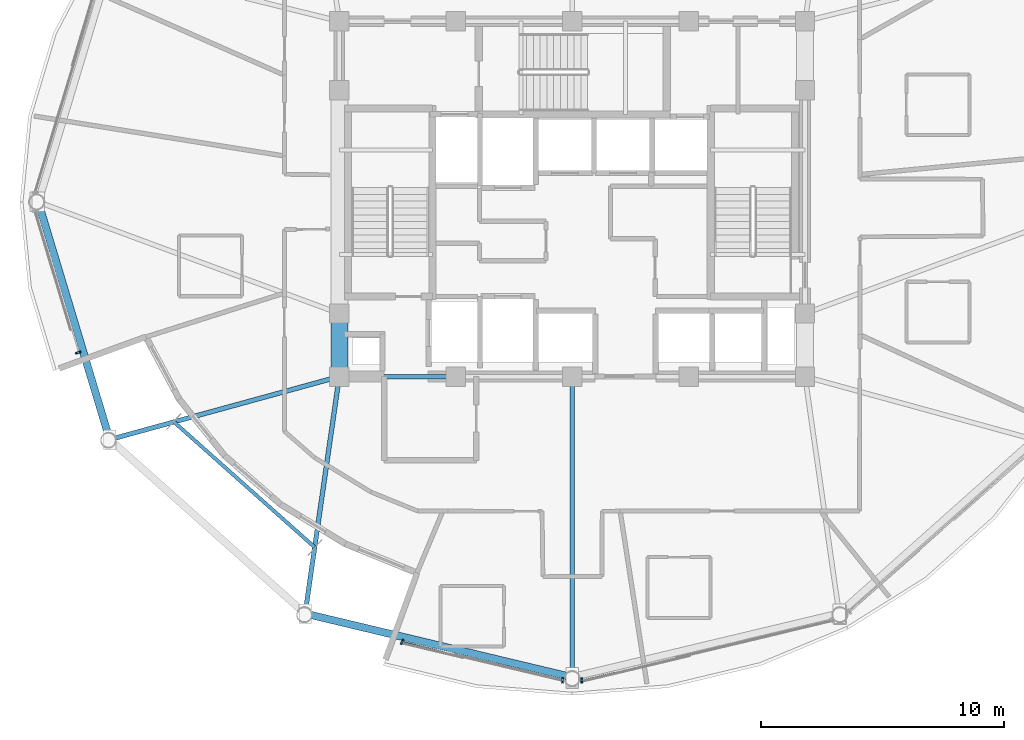
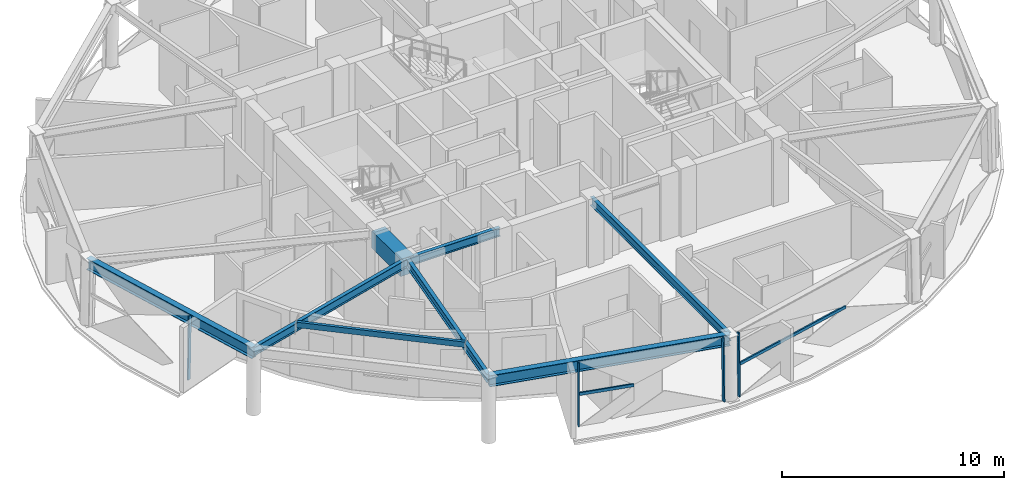
# One storey, part 2 of 18: 8 beams, 6 members, 3 elements without a shape of their own.
"""IFC4 building model written with IfcOpenShell, lengths in metres."""

from ifc_helpers import new_model, si_unit, direction, frame, origin, origin_2d, place, context, subcontext, project, spatial, rectangle, hollow_rectangle, i_section, extrude, material, layer, layer_set, material_profile, profile_set, type_object, element, aggregate, save


model = new_model("IFC4")

# Units and contexts
model_context = context("Model", 3, precision=1e-05, world=origin(), true_north=direction((0.0, 1.0)))
body_context = subcontext(model_context, "Body", "Model", "MODEL_VIEW")
ifc_project = project(units=[si_unit("LENGTHUNIT", "METRE"), si_unit("AREAUNIT", "SQUARE_METRE"), si_unit("VOLUMEUNIT", "CUBIC_METRE"), si_unit("PLANEANGLEUNIT", "RADIAN"), si_unit("MASSUNIT", "GRAM", prefix="KILO")], contexts=[model_context])

# Site, building, storey
site_placement = place(None, origin())
site = spatial("IfcSite", under=ifc_project, at=site_placement, CompositionType="ELEMENT")
building_placement = place(site_placement, origin())
building = spatial("IfcBuilding", under=site, at=building_placement, Name="Vantalir Tower", CompositionType="ELEMENT")
storey_placement = place(building_placement, frame((0.0, 0.0, 216.14990234375)))
storey = spatial("IfcBuildingStorey", under=building, at=storey_placement, Name="L54", CompositionType="ELEMENT", Elevation=216.14990234375)

# Beams
ifc_material_1 = material(Name="Concrete C60/75", Category="concrete")
ifc_material_profile_1 = material_profile(ifc_material_1, rectangle(XDim=0.699951171875, YDim=0.949951171875, at=origin_2d()), Name="Concrete C60/75")
ifc_profile_set_1 = profile_set([ifc_material_profile_1], Name="Concrete C60/75")
beam_type_1 = type_object("IfcBeamType", Name="BM-CB-700x950", PredefinedType="USERDEFINED", material=ifc_profile_set_1)
beam_1_placement = place(storey_placement, frame((21.89990234375, 20.39990234375, 3.09521484375), z_axis=(0.0, -1.0, 0.0), x_axis=(1.0, 0.0, 0.0)))
element("IfcBeam", 1, at=beam_1_placement, inside=storey, type_object=beam_type_1, Name="L54 Core Coupling Girder 14", ObjectType="GIRDER", PredefinedType="USERDEFINED", context=body_context, shape_type="SweptSolid", body=[
    extrude(rectangle(XDim=0.699951171875, YDim=0.949951171875, at=origin_2d()), origin(), (0.0, 0.0, 1.0), 2.599853515625),
])
ifc_material_2 = material(Name="Steel S355", Category="steel")
ifc_material_profile_2 = material_profile(ifc_material_2, i_section(OverallWidth=0.19189453125, OverallDepth=0.462890625, WebThickness=0.010498046875, FlangeThickness=0.017578125, at=origin_2d()), Name="Steel S355")
ifc_profile_set_2 = profile_set([ifc_material_profile_2], Name="Steel S355")
beam_type_2 = type_object("IfcBeamType", Name="BM-RB-457x191", PredefinedType="BEAM", material=ifc_profile_set_2)
beam_2_placement = place(storey_placement, frame((21.89990234375, 17.800048828125, 3.338134765625), z_axis=(1.0, 0.0, 0.0), x_axis=(0.0, 1.0, 0.0)))
element("IfcBeam", 2, at=beam_2_placement, inside=storey, type_object=beam_type_2, Name="L54 Core Coupling Girder 01", PredefinedType="BEAM", context=body_context, shape_type="SweptSolid", body=[
    extrude(i_section(OverallWidth=0.19189453125, OverallDepth=0.462890625, WebThickness=0.010498046875, FlangeThickness=0.017578125, at=origin_2d()), origin(), (0.0, 0.0, 1.0), 4.800048828125),
])
beam_3_placement = place(storey_placement, frame((12.43603515625, 15.201904296875, 3.338134765625), z_axis=(0.964320419913, 0.264737847196, 0.0), x_axis=(-0.264737847196, 0.964320419913, 0.0)))
element("IfcBeam", 3, at=beam_3_placement, inside=storey, type_object=beam_type_2, Name="L54 Radial Floor Beam 08", PredefinedType="BEAM", context=body_context, shape_type="SweptSolid", body=[
    extrude(i_section(OverallWidth=0.19189453125, OverallDepth=0.462890625, WebThickness=0.010498046875, FlangeThickness=0.017578125, at=origin_2d()), origin(), (0.0, 0.0, 1.0), 9.81396484375),
])
beam_4_placement = place(storey_placement, frame((20.492919921875, 8.029052734375, 3.338134765625), z_axis=(0.142525762499, 0.989791092617, 0.0), x_axis=(-0.989791092617, 0.142525762499, 0.0)))
element("IfcBeam", 4, at=beam_4_placement, inside=storey, type_object=beam_type_2, Name="L54 Radial Floor Beam 09", PredefinedType="BEAM", context=body_context, shape_type="SweptSolid", body=[
    extrude(i_section(OverallWidth=0.19189453125, OverallDepth=0.462890625, WebThickness=0.010498046875, FlangeThickness=0.017578125, at=origin_2d()), origin(), (0.0, 0.0, 1.0), 9.871826171875),
])
beam_5_placement = place(storey_placement, frame((31.5, 5.404052734375, 3.338134765625), z_axis=(0.0, 1.0, 0.0), x_axis=(-1.0, 0.0, 0.0)))
element("IfcBeam", 5, at=beam_5_placement, inside=storey, type_object=beam_type_2, Name="L54 Radial Floor Beam 10", PredefinedType="BEAM", context=body_context, shape_type="SweptSolid", body=[
    extrude(i_section(OverallWidth=0.19189453125, OverallDepth=0.462890625, WebThickness=0.010498046875, FlangeThickness=0.017578125, at=origin_2d()), origin(), (0.0, 0.0, 1.0), 12.39599609375),
])
ifc_material_3 = material(Name="Steel S460", Category="steel")
ifc_material_profile_3 = material_profile(ifc_material_3, i_section(OverallWidth=0.306884765625, OverallDepth=0.6201171875, WebThickness=0.01416015625, FlangeThickness=0.023681640625, at=origin_2d()), Name="Steel S460")
ifc_profile_set_3 = profile_set([ifc_material_profile_3], Name="Steel S460")
beam_type_3 = type_object("IfcBeamType", Name="BM-RG-610x305", PredefinedType="USERDEFINED", material=ifc_profile_set_3)
beam_6_placement = place(storey_placement, frame((9.487060546875, 25.0, 3.260009765625), z_axis=(0.288203662464, -0.957569135333, 0.0), x_axis=(0.957569135333, 0.288203662464, 0.0)))
element("IfcBeam", 6, at=beam_6_placement, inside=storey, type_object=beam_type_3, Name="L54 Circumferential Ring Girder 07", ObjectType="GIRDER", PredefinedType="USERDEFINED", context=body_context, shape_type="SweptSolid", body=[
    extrude(i_section(OverallWidth=0.306884765625, OverallDepth=0.6201171875, WebThickness=0.01416015625, FlangeThickness=0.023681640625, at=origin_2d()), origin(), (0.0, 0.0, 1.0), 10.232177734375),
])
beam_7_placement = place(storey_placement, frame((20.492919921875, 8.029052734375, 3.260009765625), z_axis=(0.972721190818, -0.231977337112, 0.0), x_axis=(0.231977337112, 0.972721190818, 0.0)))
element("IfcBeam", 7, at=beam_7_placement, inside=storey, type_object=beam_type_3, Name="L54 Circumferential Ring Girder 09", ObjectType="GIRDER", PredefinedType="USERDEFINED", context=body_context, shape_type="SweptSolid", body=[
    extrude(i_section(OverallWidth=0.306884765625, OverallDepth=0.6201171875, WebThickness=0.01416015625, FlangeThickness=0.023681640625, at=origin_2d()), origin(), (0.0, 0.0, 1.0), 11.315673828125),
])
ifc_material_profile_4 = material_profile(ifc_material_2, hollow_rectangle(XDim=0.14990234375, YDim=0.300048828125, WallThickness=0.011962890625, at=origin_2d()), Name="Steel S355")
ifc_profile_set_4 = profile_set([ifc_material_profile_4], Name="Steel S355")
beam_type_4 = type_object("IfcBeamType", Name="BM-SP-300x150", PredefinedType="LINTEL", material=ifc_profile_set_4)
beam_8_placement = place(storey_placement, frame((15.0859375, 15.928955078125, 3.420166015625), z_axis=(0.746923504763, -0.66490997739, 0.0), x_axis=(0.66490997739, 0.746923504763, 0.0)))
element("IfcBeam", 8, at=beam_8_placement, inside=storey, type_object=beam_type_4, Name="L54 SG3 Recessed Edge Lintel 1", PredefinedType="LINTEL", context=body_context, shape_type="SweptSolid", body=[
    extrude(hollow_rectangle(XDim=0.14990234375, YDim=0.300048828125, WallThickness=0.011962890625, at=origin_2d()), origin(), (0.0, 0.0, 1.0), 7.7666015625),
])

# Curtain wall, member
ifc_material_4 = material(Name="Champagne-silver PVDF aluminium and double-silver Low-E glass", Category="aluminium")
ifc_layer = layer(ifc_material_4, 0.2099609375)
ifc_layer_set = layer_set([ifc_layer], Name="Champagne-silver PVDF aluminium and double-silver Low-E glass")
curtain_wall_type = type_object("IfcCurtainWallType", Name="CW-DIAMOND-Z3", PredefinedType="USERDEFINED", material=ifc_layer_set)
curtain_wall_1_placement = place(storey_placement, origin())
curtain_wall_1 = element("IfcCurtainWall", 9, at=curtain_wall_1_placement, inside=storey, type_object=curtain_wall_type, Name="L54 Quilted Pyramid-Diamond Curtain Wall S07", ObjectType="UNITISED CURTAIN WALL", PredefinedType="USERDEFINED")
ifc_material_5 = material(Name="Champagne-silver PVDF aluminium 6063-T6", Category="aluminium")
ifc_material_profile_5 = material_profile(ifc_material_5, hollow_rectangle(XDim=0.070068359375, YDim=0.1650390625, WallThickness=0.00390625, at=origin_2d()), Name="Champagne-silver PVDF aluminium 6063-T6")
ifc_profile_set_5 = profile_set([ifc_material_profile_5], Name="Champagne-silver PVDF aluminium 6063-T6")
member_type_1 = type_object("IfcMemberType", Name="CWM-165x70", PredefinedType="MULLION", material=ifc_profile_set_5)
member_1_placement = place(storey_placement, frame((11.094970703125, 18.77490234375, 0.045166015625), z_axis=(0.019288847627, 0.006382855033, 0.999793578454), x_axis=(-0.314155656274, 0.949371488739, 0.0)))
member_1 = element("IfcMember", 10, at=member_1_placement, type_object=member_type_1, Name="CW-L54-S07 Mullion 2", PredefinedType="MULLION", context=body_context, shape_type="SweptSolid", body=[
    extrude(hollow_rectangle(XDim=0.070068359375, YDim=0.1650390625, WallThickness=0.00390625, at=origin_2d()), origin(), (0.0, 0.0, 1.0), 3.480712890625),
])
aggregate(curtain_wall_1, [member_1])

# Curtain wall, members
curtain_wall_2_placement = place(storey_placement, origin())
curtain_wall_2 = element("IfcCurtainWall", 11, at=curtain_wall_2_placement, inside=storey, type_object=curtain_wall_type, Name="L54 Quilted Pyramid-Diamond Curtain Wall S09", ObjectType="UNITISED CURTAIN WALL", PredefinedType="USERDEFINED")
member_2_placement = place(storey_placement, frame((24.472900390625, 6.826904296875, 0.045166015625), z_axis=(0.006944250625, 0.01697483486, 0.999831802037), x_axis=(-0.925546956206, 0.378632845721, 0.0)))
member_2 = element("IfcMember", 12, at=member_2_placement, type_object=member_type_1, Name="CW-L54-S09 Mullion 1", PredefinedType="MULLION", context=body_context, shape_type="SweptSolid", body=[
    extrude(hollow_rectangle(XDim=0.070068359375, YDim=0.1650390625, WallThickness=0.00390625, at=origin_2d()), origin(), (0.0, 0.0, 1.0), 3.48046875),
])
member_3_placement = place(storey_placement, frame((31.10107421875, 5.243896484375, 0.045166015625), z_axis=(0.0, 0.018728298785, 0.999824610031), x_axis=(-1.0, 0.0, 0.0)))
member_3 = element("IfcMember", 13, at=member_3_placement, type_object=member_type_1, Name="CW-L54-S09 Mullion 2", PredefinedType="MULLION", context=body_context, shape_type="SweptSolid", body=[
    extrude(hollow_rectangle(XDim=0.070068359375, YDim=0.1650390625, WallThickness=0.00390625, at=origin_2d()), origin(), (0.0, 0.0, 1.0), 3.480712890625),
])

# Curtain wall, member
curtain_wall_3_placement = place(storey_placement, origin())
curtain_wall_3 = element("IfcCurtainWall", 14, at=curtain_wall_3_placement, inside=storey, type_object=curtain_wall_type, Name="L54 Quilted Pyramid-Diamond Curtain Wall S10", ObjectType="UNITISED CURTAIN WALL", PredefinedType="USERDEFINED")
member_4_placement = place(storey_placement, frame((31.89892578125, 5.243896484375, 0.045166015625), z_axis=(0.0, 0.018728298785, 0.999824610031), x_axis=(-1.0, 0.0, 0.0)))
member_4 = element("IfcMember", 15, at=member_4_placement, type_object=member_type_1, Name="CW-L54-S10 Mullion 1", PredefinedType="MULLION", context=body_context, shape_type="SweptSolid", body=[
    extrude(hollow_rectangle(XDim=0.070068359375, YDim=0.1650390625, WallThickness=0.00390625, at=origin_2d()), origin(), (0.0, 0.0, 1.0), 3.480712890625),
])

# Member
ifc_material_profile_6 = material_profile(ifc_material_5, hollow_rectangle(XDim=0.074951171875, YDim=0.159912109375, WallThickness=0.00390625, at=origin_2d()), Name="Champagne-silver PVDF aluminium 6063-T6")
ifc_profile_set_6 = profile_set([ifc_material_profile_6], Name="Champagne-silver PVDF aluminium 6063-T6")
member_type_2 = type_object("IfcMemberType", Name="CWT-160x75", PredefinedType="USERDEFINED", material=ifc_profile_set_6)
member_5_placement = place(storey_placement, frame((24.485107421875, 6.85693359375, 1.78515625), z_axis=(0.970430677003, -0.241379993229, 0.0), x_axis=(0.241379993229, 0.970430677003, 0.0)))
member_5 = element("IfcMember", 16, at=member_5_placement, type_object=member_type_2, Name="CW-L54-S09 Pyramid Fold Ridge Transom", ObjectType="TRANSOM", PredefinedType="USERDEFINED", context=body_context, shape_type="SweptSolid", body=[
    extrude(hollow_rectangle(XDim=0.074951171875, YDim=0.159912109375, WallThickness=0.00390625, at=origin_2d()), origin(), (0.0, 0.0, 1.0), 2.585205078125),
])

aggregate(curtain_wall_2, [member_2, member_3, member_5])

member_6_placement = place(storey_placement, frame((31.89892578125, 5.277099609375, 1.78515625), z_axis=(0.973481337035, 0.228766445187, 0.0), x_axis=(-0.228766445187, 0.973481337035, 0.0)))
member_6 = element("IfcMember", 17, at=member_6_placement, type_object=member_type_2, Name="CW-L54-S10 Pyramid Fold Ridge Transom", ObjectType="TRANSOM", PredefinedType="USERDEFINED", context=body_context, shape_type="SweptSolid", body=[
    extrude(hollow_rectangle(XDim=0.074951171875, YDim=0.159912109375, WallThickness=0.00390625, at=origin_2d()), origin(), (0.0, 0.0, 1.0), 6.58251953125),
])

aggregate(curtain_wall_3, [member_4, member_6])

save(model, "model.ifc")
